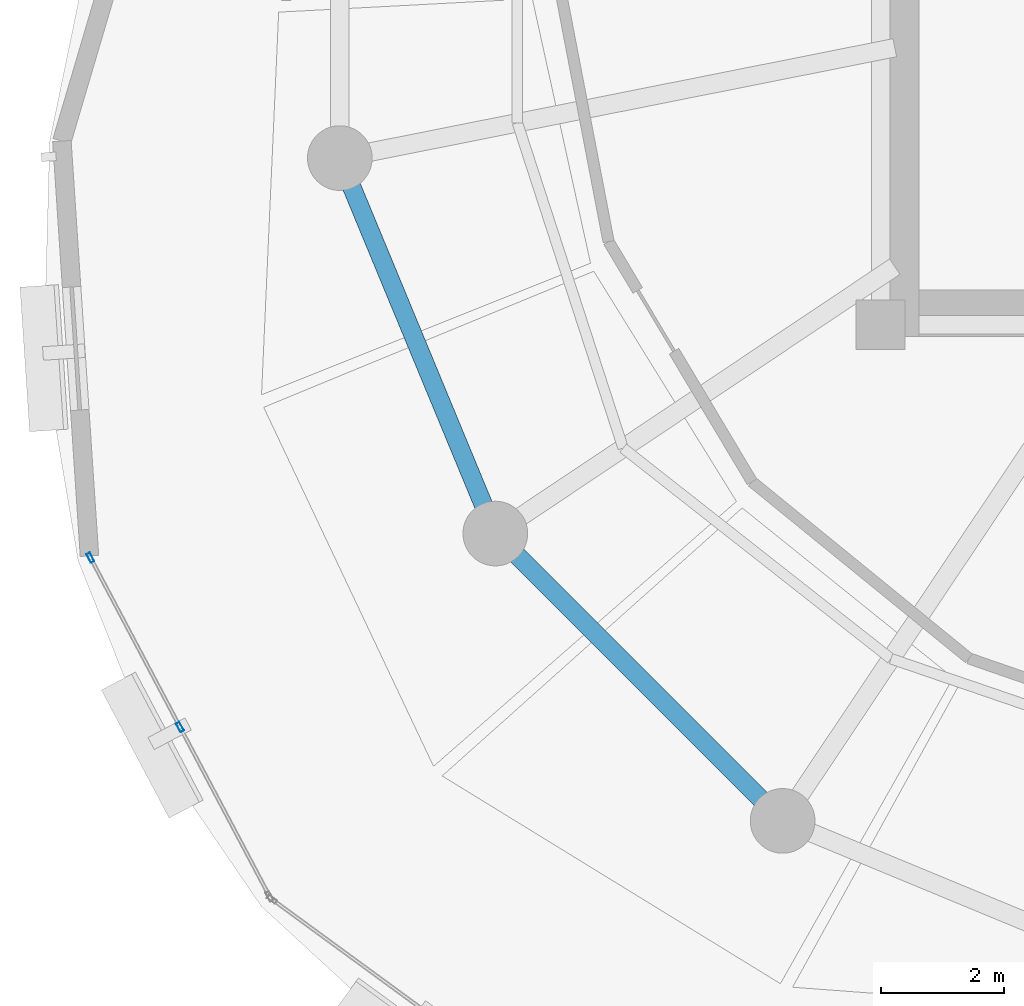
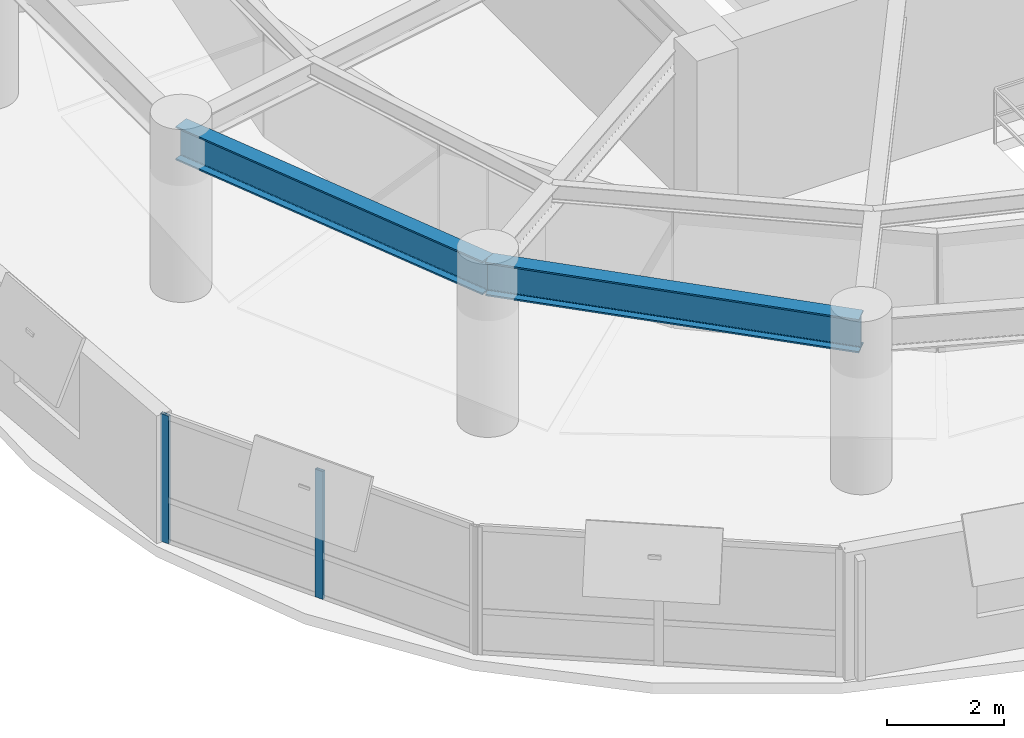
# One storey, part 4 of 12: 2 beams, 2 members, 1 element without a shape of its own.
"""IFC4 building model written with IfcOpenShell, lengths in metres."""

from ifc_helpers import new_model, si_unit, direction, frame, origin, origin_2d, place, context, subcontext, project, spatial, hollow_rectangle, i_section, extrude, material, layer, layer_set, material_profile, profile_set, type_object, element, aggregate, save


model = new_model("IFC4")

# Units and contexts
model_context = context("Model", 3, precision=1e-05, world=origin(), true_north=direction((0.0, 1.0)))
body_context = subcontext(model_context, "Body", "Model", "MODEL_VIEW")
ifc_project = project(units=[si_unit("LENGTHUNIT", "METRE"), si_unit("AREAUNIT", "SQUARE_METRE"), si_unit("VOLUMEUNIT", "CUBIC_METRE"), si_unit("PLANEANGLEUNIT", "RADIAN"), si_unit("MASSUNIT", "GRAM", prefix="KILO"), si_unit("THERMODYNAMICTEMPERATUREUNIT", "KELVIN"), si_unit("POWERUNIT", "WATT")], contexts=[model_context])

# Site, building, storey
site_placement = place(None, origin())
site = spatial("IfcSite", under=ifc_project, at=site_placement, CompositionType="ELEMENT")
building_placement = place(site_placement, origin())
building = spatial("IfcBuilding", under=site, at=building_placement, Name="Ocrelia Relay Tower", CompositionType="ELEMENT")
storey_placement = place(building_placement, frame((0.0, 0.0, 202.39990234375)))
storey = spatial("IfcBuildingStorey", under=building, at=storey_placement, Name="L49", CompositionType="ELEMENT", Elevation=202.39990234375)

# Beams
ifc_material_1 = material(Name="Steel S355", Category="steel")
ifc_material_profile_1 = material_profile(ifc_material_1, i_section(OverallWidth=0.300048828125, OverallDepth=0.699951171875, WebThickness=0.01708984375, FlangeThickness=0.031982421875, FilletRadius=0.027099609375, at=origin_2d()), Name="HEB 700")
ifc_profile_set_1 = profile_set([ifc_material_profile_1], Name="Steel S355")
beam_type = type_object("IfcBeamType", Name="BM-HEB700", PredefinedType="BEAM", material=ifc_profile_set_1)
for number, where, z_axis, x_axis, name in (
    (1, (17.4248046875, 22.702880859375, 3.030029296875), (0.382687508402, -0.923877844151, 0.0), (0.923877844151, 0.382687508402, 0.0), "L49 Perimeter Spandrel Beam S09"),
    (2, (19.9482421875, 16.61083984375, 3.030029296875), (0.707106781187, -0.707106781187, 0.0), (0.707106781187, 0.707106781187, 0.0), "L49 Perimeter Spandrel Beam S10"),
):
    element("IfcBeam", number, at=place(storey_placement, frame(where, z_axis=z_axis, x_axis=x_axis)), inside=storey, type_object=beam_type, Name=name, PredefinedType="BEAM", context=body_context, shape_type="SweptSolid", body=[
        extrude(i_section(OverallWidth=0.300048828125, OverallDepth=0.699951171875, WebThickness=0.01708984375, FlangeThickness=0.031982421875, FilletRadius=0.027099609375, at=origin_2d()), origin(), (0.0, 0.0, 1.0), 6.593994140625),
    ])

# Curtain wall, members
ifc_material_2 = material(Name="Aluminium and solar-control low-E glass", Category="aluminium")
ifc_layer = layer(ifc_material_2, 0.179931640625, Name="Aluminium and solar-control low-E glass")
ifc_layer_set = layer_set([ifc_layer], Name="Aluminium and solar-control low-E glass")
curtain_wall_type = type_object("IfcCurtainWallType", Name="CW-SYS-Z3-CLOU", PredefinedType="NOTDEFINED", material=ifc_layer_set)
curtain_wall_placement = place(storey_placement, origin())
curtain_wall = element("IfcCurtainWall", 3, at=curtain_wall_placement, inside=storey, type_object=curtain_wall_type, Name="L49 Elliptical Tower Curtain Wall Bay 09", PredefinedType="NOTDEFINED")
ifc_material_3 = material(Name="Anodised bronze aluminium", Category="aluminium")
ifc_material_profile_2 = material_profile(ifc_material_3, hollow_rectangle(XDim=0.06494140625, YDim=0.159912109375, WallThickness=0.0048828125, at=origin_2d()), Name="CW-MUL-160x65")
ifc_profile_set_2 = profile_set([ifc_material_profile_2], Name="Anodised bronze aluminium")
member_type = type_object("IfcMemberType", Name="CW-SYS-Z3-CLOU-MUL", PredefinedType="MULLION", material=ifc_profile_set_2)
member_1_placement = place(storey_placement, frame((13.3779296875, 16.2197265625, 0.0), z_axis=(0.0, 0.0, 1.0), x_axis=(0.884008499684, 0.467470825278, 0.0)))
member_1 = element("IfcMember", 4, at=member_1_placement, type_object=member_type, Name="CW-Z3 mullion 1", PredefinedType="MULLION", context=body_context, shape_type="SweptSolid", body=[
    extrude(hollow_rectangle(XDim=0.06494140625, YDim=0.159912109375, WallThickness=0.0048828125, at=origin_2d()), origin(), (0.0, 0.0, 1.0), 2.66015625),
])
member_2_placement = place(storey_placement, frame((14.831298828125, 13.471435546875, 0.0), z_axis=(0.0, 0.0, 1.0), x_axis=(0.884008499684, 0.467470825278, 0.0)))
member_2 = element("IfcMember", 5, at=member_2_placement, type_object=member_type, Name="CW-Z3 mullion 2", PredefinedType="MULLION", context=body_context, shape_type="SweptSolid", body=[
    extrude(hollow_rectangle(XDim=0.06494140625, YDim=0.159912109375, WallThickness=0.0048828125, at=origin_2d()), origin(), (0.0, 0.0, 1.0), 2.66015625),
])
aggregate(curtain_wall, [member_1, member_2])

save(model, "model.ifc")
